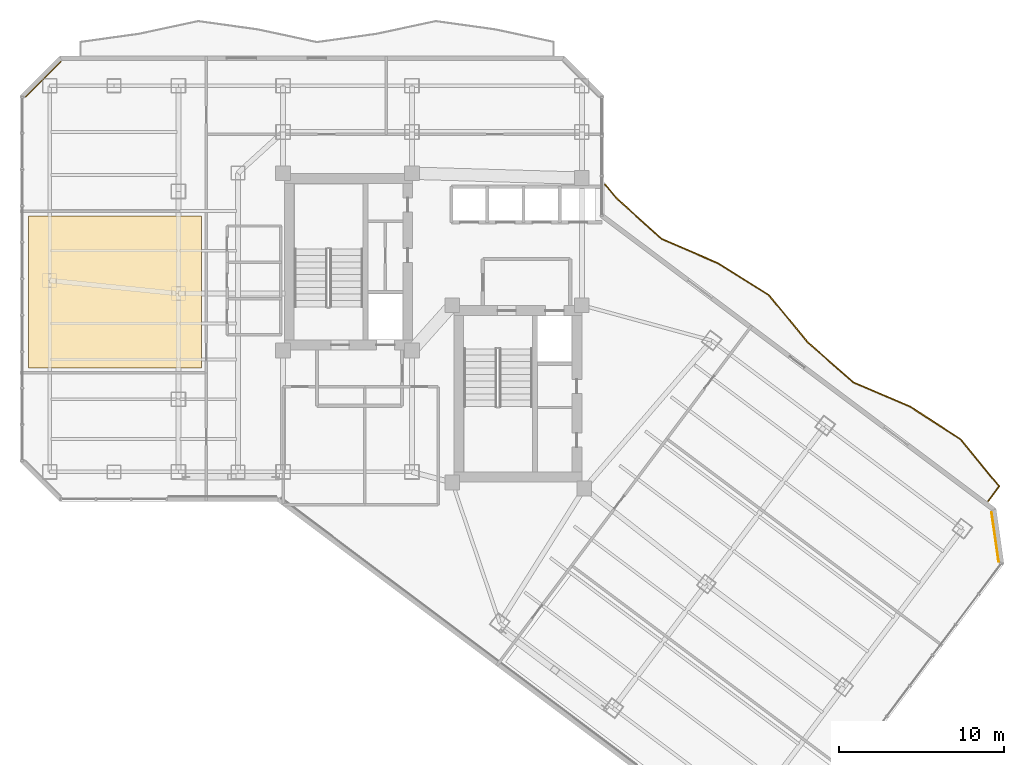
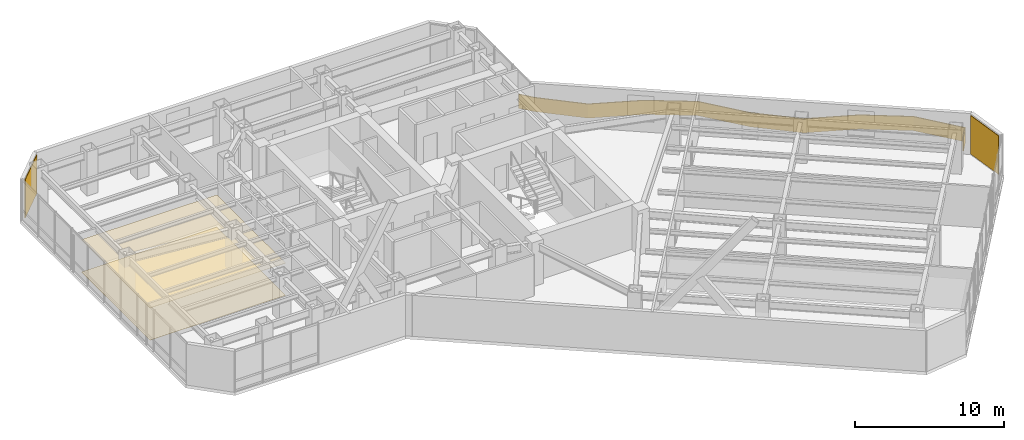
# One storey, part 27 of 29: 4 coverings, 1 railing.
"""IFC4 building model written with IfcOpenShell, lengths in metres."""

from ifc_helpers import new_model, si_unit, direction, frame, origin, origin_2d, place, context, subcontext, project, spatial, polyline, rectangle, outline, extrude, material, layer, layer_set, type_object, element, save


model = new_model("IFC4")

# Units and contexts
model_context = context("Model", 3, precision=1e-05, world=origin(), true_north=direction((0.0, 1.0)))
body_context = subcontext(model_context, "Body", "Model", "MODEL_VIEW")
ifc_project = project(units=[si_unit("LENGTHUNIT", "METRE"), si_unit("AREAUNIT", "SQUARE_METRE"), si_unit("VOLUMEUNIT", "CUBIC_METRE"), si_unit("PLANEANGLEUNIT", "RADIAN"), si_unit("MASSUNIT", "GRAM", prefix="KILO")], contexts=[model_context])

# Site, building, storey
site_placement = place(None, origin())
site = spatial("IfcSite", under=ifc_project, at=site_placement, CompositionType="ELEMENT")
building_placement = place(site_placement, origin())
building = spatial("IfcBuilding", under=site, at=building_placement, Name="Hatsunagi Terrace Concourse", CompositionType="ELEMENT")
storey_placement = place(building_placement, frame((0.0, 0.0, 108.449951171875)))
storey = spatial("IfcBuildingStorey", under=building, at=storey_placement, Name="L28", CompositionType="ELEMENT", Elevation=108.449951171875)

# Covering
ifc_material_1 = material(Name="Acoustic mineral board", Category="gypsum")
ifc_layer_1 = layer(ifc_material_1, 0.02001953125)
ifc_layer_set_1 = layer_set([ifc_layer_1], Name="AcousticMineralCeiling_20")
covering_type_1 = type_object("IfcCoveringType", Name="AcousticMineralCeiling_20", PredefinedType="CEILING", material=ifc_layer_set_1)
covering_1_placement = place(storey_placement, frame((0.0, 0.0, 2.630126953125)))
element("IfcCovering", 1, at=covering_1_placement, inside=storey, type_object=covering_type_1, Name="Suspended Ceiling L28-2", PredefinedType="CEILING", context=body_context, shape_type="SweptSolid", body=[
    extrude(outline(polyline([(10.1298828125, 31.5), (20.60009765625, 31.5), (20.60009765625, 40.699951171875), (10.1298828125, 40.699951171875), (10.1298828125, 31.5)])), origin(), (0.0, 0.0, 1.0), 0.02001953125),
])

# Railing
ifc_material_2 = material(Name="Laminated Glass and Stainless Steel Guard", Category="steel")
ifc_layer_2 = layer(ifc_material_2, 0.070068359375)
ifc_layer_set_2 = layer_set([ifc_layer_2], Name="BalconyGlassGuardRail_1150")
railing_type = type_object("IfcRailingType", Name="BalconyGlassGuardRail_1150", PredefinedType="BALUSTRADE", material=ifc_layer_set_2)
railing_placement = place(storey_placement, origin())
element("IfcRailing", 2, at=railing_placement, inside=storey, type_object=railing_type, Name="Engawa Balcony Guard GRD-01 L28-BSE-1", PredefinedType="BALUSTRADE", context=body_context, shape_type="SweptSolid", body=[
    extrude(outline(polyline([(45.072998046875, 42.658447265625), (45.01904296875, 42.613525390625), (45.73779296875, 41.750732421875), (48.462890625, 39.294189453125), (51.898681640625, 37.808837890625), (54.969482421875, 35.88134765625), (57.34375, 33.00341796875), (60.10009765625, 30.587890625), (63.54443359375, 29.115966796875), (66.58447265625, 27.147705078125), (68.903564453125, 24.31396484375), (68.241943359375, 23.430908203125), (68.298095703125, 23.388916015625), (68.992431640625, 24.31591796875), (66.631591796875, 27.200439453125), (63.577392578125, 29.177978515625), (60.137939453125, 30.64794921875), (57.394287109375, 33.052490234375), (55.016357421875, 35.9345703125), (51.931396484375, 37.87109375), (48.501220703125, 39.353759765625), (45.788330078125, 41.79931640625), (45.072998046875, 42.658447265625)])), origin(), (0.0, 0.0, 1.0), 1.150146484375),
])

# Coverings
ifc_material_3 = material(Name="Hardwood timber", Category="wood")
ifc_layer_3 = layer(ifc_material_3, 0.014892578125)
ifc_layer_set_3 = layer_set([ifc_layer_3], Name="HardwoodTimberFlooring_15")
covering_type_2 = type_object("IfcCoveringType", Name="HardwoodTimberFlooring_15", PredefinedType="FLOORING", material=ifc_layer_set_3)
covering_2_placement = place(storey_placement, origin())
element("IfcCovering", 3, at=covering_2_placement, inside=storey, type_object=covering_type_2, Name="Finished Flooring L28-2", PredefinedType="FLOORING", context=body_context, shape_type="SweptSolid", body=[
    extrude(outline(polyline([(10.1298828125, 31.5), (20.60009765625, 31.5), (20.60009765625, 40.699951171875), (10.1298828125, 40.699951171875), (10.1298828125, 31.5)])), origin(), (0.0, 0.0, 1.0), 0.01513671875),
])
ifc_material_4 = material(Name="Unglazed Warm Terracotta Rainscreen Tile", Category="masonry")
ifc_layer_4 = layer(ifc_material_4, 0.044921875)
ifc_layer_set_4 = layer_set([ifc_layer_4], Name="TerracottaRainscreenCladding_45")
covering_type_3 = type_object("IfcCoveringType", Name="TerracottaRainscreenCladding_45", PredefinedType="CLADDING", material=ifc_layer_set_4)
for number, where, z_axis, x_axis, name in (
    (4, (68.700927734375, 21.258056640625, 0.10009765625), (0.0, 0.0, 1.0), (0.141250262458, -0.989973920543, 0.0), "Terracotta Rainscreen Cladding L28-02"),
    (5, (11.013916015625, 48.986083984375, 0.10009765625), (0.0, 0.0, 1.0), (0.707106781187, 0.707106781187, 0.0), "Terracotta Rainscreen Cladding L28-10"),
):
    element("IfcCovering", number, at=place(storey_placement, frame(where, z_axis=z_axis, x_axis=x_axis)), inside=storey, type_object=covering_type_3, Name=name, PredefinedType="CLADDING", context=body_context, shape_type="SweptSolid", body=[
        extrude(rectangle(XDim=3.0380859375, YDim=0.044921875, at=origin_2d()), origin(), (0.0, 0.0, 1.0), 3.14990234375),
    ])

save(model, "model.ifc")
